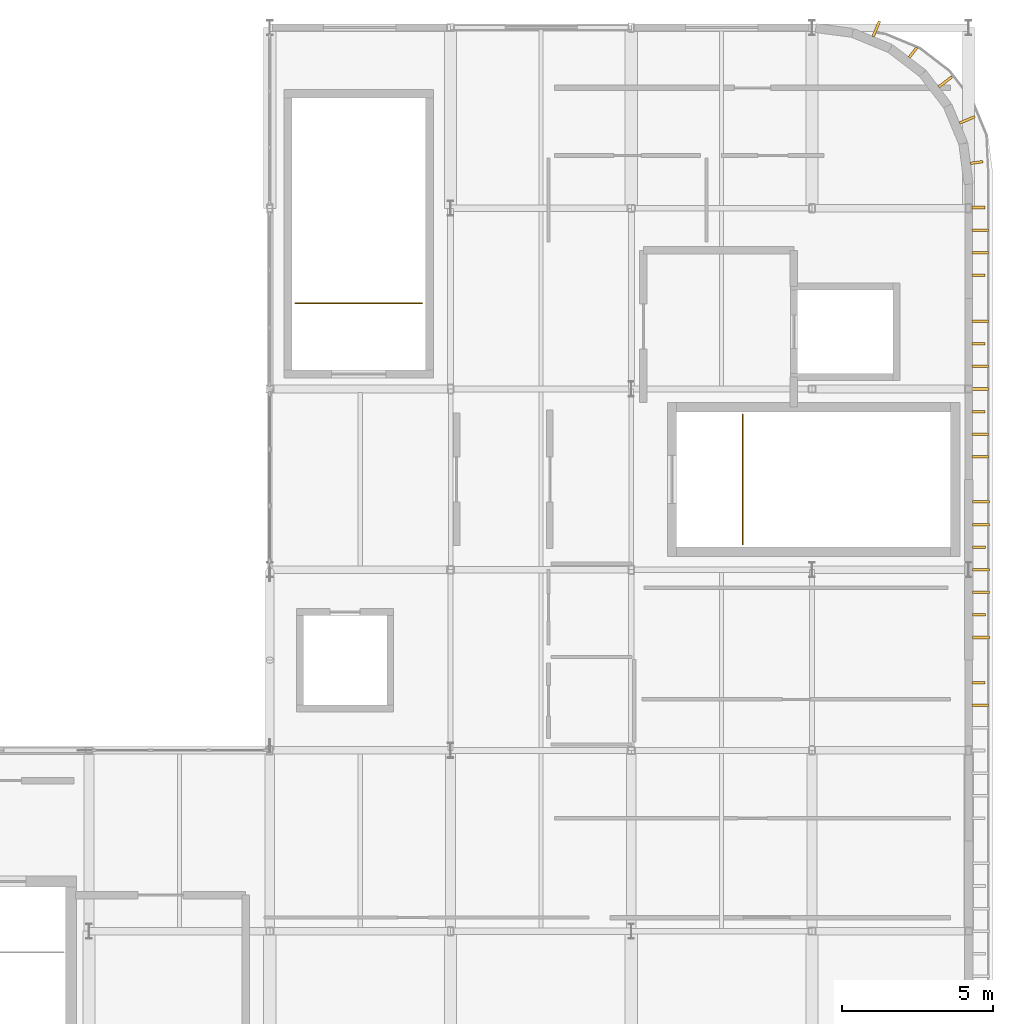
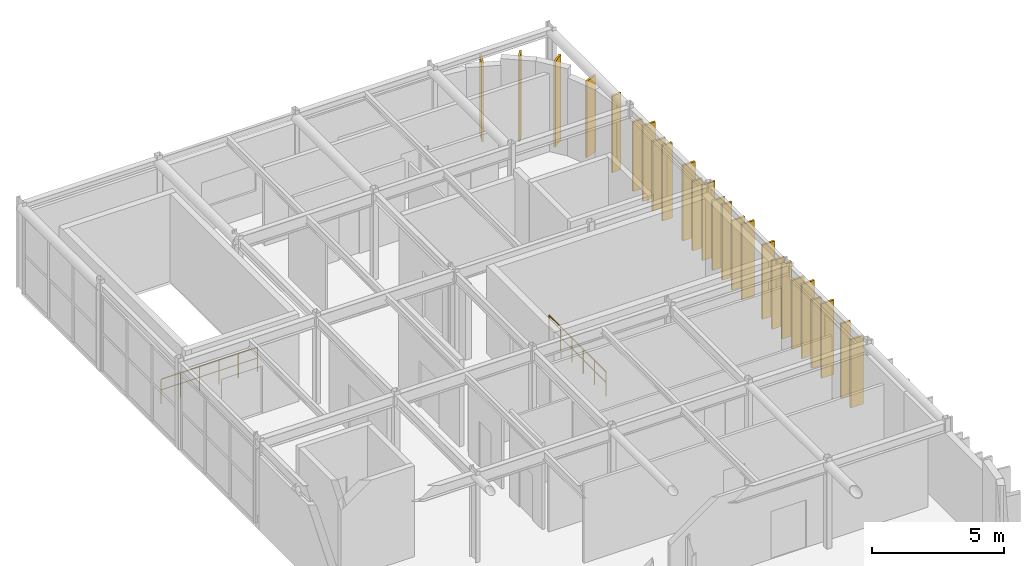
# One storey, part 14 of 14: 25 coverings, 2 railings.
"""IFC4 building model written with IfcOpenShell, lengths in metres."""

from ifc_helpers import new_model, si_unit, direction, frame, origin, origin_2d, place, context, subcontext, project, spatial, rectangle, circle, extrude, material, layer, layer_set, type_object, element, save


model = new_model("IFC4")

# Units and contexts
model_context = context("Model", 3, precision=1e-05, world=origin(), true_north=direction((0.0, 1.0)))
body_context = subcontext(model_context, "Body", "Model", "MODEL_VIEW")
ifc_project = project(units=[si_unit("LENGTHUNIT", "METRE"), si_unit("AREAUNIT", "SQUARE_METRE"), si_unit("VOLUMEUNIT", "CUBIC_METRE"), si_unit("PLANEANGLEUNIT", "RADIAN"), si_unit("MASSUNIT", "GRAM", prefix="KILO")], contexts=[model_context])

# Site, building, storey
site_placement = place(None, origin())
site = spatial("IfcSite", under=ifc_project, at=site_placement, CompositionType="ELEMENT")
building_placement = place(site_placement, origin())
building = spatial("IfcBuilding", under=site, at=building_placement, Name="Varnakota Square Police Headquarters", CompositionType="ELEMENT")
storey_placement = place(building_placement, frame((0.0, 0.0, 30.0)))
storey = spatial("IfcBuildingStorey", under=building, at=storey_placement, Name="L07", CompositionType="ELEMENT", Elevation=30.0)

# Coverings
ifc_material_1 = material(Name="White Anodised Aluminium Vertical Facade Blade 420", Category="aluminium")
ifc_layer_1 = layer(ifc_material_1, 0.0849609375, Name="White Anodised Aluminium Vertical Facade Blade 420")
ifc_layer_set_1 = layer_set([ifc_layer_1], Name="White Anodised Aluminium Vertical Facade Blade 420")
covering_type_1 = type_object("IfcCoveringType", Name="COV-FIN-420", PredefinedType="CLADDING", material=ifc_layer_set_1)
covering_1_placement = place(storey_placement, frame((161.52490234375, 17.25, 0.0400390625), z_axis=(0.0, 0.0, 1.0), x_axis=(0.0, 1.0, 0.0)))
element("IfcCovering", 1, at=covering_1_placement, inside=storey, type_object=covering_type_1, Name="Vertical aluminium facade fin FIN-0865", PredefinedType="CLADDING", context=body_context, shape_type="SweptSolid", body=[
    extrude(rectangle(XDim=0.0849609375, YDim=0.419921875, at=origin_2d()), origin(), (0.0, 0.0, 1.0), 3.449951171875),
])
covering_2_placement = place(storey_placement, frame((161.544921875, 19.5, 0.0400390625), z_axis=(0.0, 0.0, 1.0), x_axis=(0.0, 1.0, 0.0)))
element("IfcCovering", 2, at=covering_2_placement, inside=storey, type_object=covering_type_1, Name="Vertical aluminium facade fin FIN-0867", PredefinedType="CLADDING", context=body_context, shape_type="SweptSolid", body=[
    extrude(rectangle(XDim=0.0849609375, YDim=0.419921875, at=origin_2d()), origin(), (0.0, 0.0, 1.0), 3.169921875),
])
covering_3_placement = place(storey_placement, frame((161.544921875, 21.75, 0.0400390625), z_axis=(0.0, 0.0, 1.0), x_axis=(0.0, 1.0, 0.0)))
element("IfcCovering", 3, at=covering_3_placement, inside=storey, type_object=covering_type_1, Name="Vertical aluminium facade fin FIN-0870", PredefinedType="CLADDING", context=body_context, shape_type="SweptSolid", body=[
    extrude(rectangle(XDim=0.0849609375, YDim=0.419921875, at=origin_2d()), origin(), (0.0, 0.0, 1.0), 3.449951171875),
])
covering_4_placement = place(storey_placement, frame((161.52490234375, 26.25, 0.0400390625), z_axis=(0.0, 0.0, 1.0), x_axis=(0.0, 1.0, 0.0)))
element("IfcCovering", 4, at=covering_4_placement, inside=storey, type_object=covering_type_1, Name="Vertical aluminium facade fin FIN-0875", PredefinedType="CLADDING", context=body_context, shape_type="SweptSolid", body=[
    extrude(rectangle(XDim=0.0849609375, YDim=0.419921875, at=origin_2d()), origin(), (0.0, 0.0, 1.0), 3.5),
])
covering_5_placement = place(storey_placement, frame((161.52490234375, 28.5, 0.0400390625), z_axis=(0.0, 0.0, 1.0), x_axis=(0.0, 1.0, 0.0)))
element("IfcCovering", 5, at=covering_5_placement, inside=storey, type_object=covering_type_1, Name="Vertical aluminium facade fin FIN-0878", PredefinedType="CLADDING", context=body_context, shape_type="SweptSolid", body=[
    extrude(rectangle(XDim=0.0849609375, YDim=0.419921875, at=origin_2d()), origin(), (0.0, 0.0, 1.0), 3.219970703125),
])
covering_6_placement = place(storey_placement, frame((161.52490234375, 30.77490234375, 0.0400390625), z_axis=(0.0, 0.0, 1.0), x_axis=(0.0, 1.0, 0.0)))
element("IfcCovering", 6, at=covering_6_placement, inside=storey, type_object=covering_type_1, Name="Vertical aluminium facade fin FIN-0880", PredefinedType="CLADDING", context=body_context, shape_type="SweptSolid", body=[
    extrude(rectangle(XDim=0.0849609375, YDim=0.419921875, at=origin_2d()), origin(), (0.0, 0.0, 1.0), 3.5),
])
covering_7_placement = place(storey_placement, frame((161.52490234375, 33.02490234375, 0.0400390625), z_axis=(0.0, 0.0, 1.0), x_axis=(0.0, 1.0, 0.0)))
element("IfcCovering", 7, at=covering_7_placement, inside=storey, type_object=covering_type_1, Name="Vertical aluminium facade fin FIN-0883", PredefinedType="CLADDING", context=body_context, shape_type="SweptSolid", body=[
    extrude(rectangle(XDim=0.0849609375, YDim=0.419921875, at=origin_2d()), origin(), (0.0, 0.0, 1.0), 3.219970703125),
])
covering_8_placement = place(storey_placement, frame((161.46337890625, 34.519287109375, 0.0400390625), z_axis=(0.0, 0.0, 1.0), x_axis=(-0.13052619222, 0.991444861374, 0.0)))
element("IfcCovering", 8, at=covering_8_placement, inside=storey, type_object=covering_type_1, Name="Vertical aluminium facade fin FIN-0895", PredefinedType="CLADDING", context=body_context, shape_type="SweptSolid", body=[
    extrude(rectangle(XDim=0.0849609375, YDim=0.419921875, at=origin_2d()), origin(), (0.0, 0.0, 1.0), 3.543701171875),
])
covering_9_placement = place(storey_placement, frame((159.3544921875, 38.171875, 0.0400390625), z_axis=(0.0, 0.0, 1.0), x_axis=(-0.793353340291, 0.608761429009, 0.0)))
element("IfcCovering", 9, at=covering_9_placement, inside=storey, type_object=covering_type_1, Name="Vertical aluminium facade fin FIN-0898", PredefinedType="CLADDING", context=body_context, shape_type="SweptSolid", body=[
    extrude(rectangle(XDim=0.0849609375, YDim=0.419921875, at=origin_2d()), origin(), (0.0, 0.0, 1.0), 3.955078125),
])
ifc_material_2 = material(Name="White Anodised Aluminium Vertical Facade Blade 550", Category="aluminium")
ifc_layer_2 = layer(ifc_material_2, 0.0849609375, Name="White Anodised Aluminium Vertical Facade Blade 550")
ifc_layer_set_2 = layer_set([ifc_layer_2], Name="White Anodised Aluminium Vertical Facade Blade 550")
covering_type_2 = type_object("IfcCoveringType", Name="COV-FIN-550", PredefinedType="CLADDING", material=ifc_layer_set_2)
covering_10_placement = place(storey_placement, frame((161.590087890625, 16.5, 0.0400390625), z_axis=(0.0, 0.0, 1.0), x_axis=(0.0, 1.0, 0.0)))
element("IfcCovering", 10, at=covering_10_placement, inside=storey, type_object=covering_type_2, Name="Vertical aluminium facade fin FIN-0864", PredefinedType="CLADDING", context=body_context, shape_type="SweptSolid", body=[
    extrude(rectangle(XDim=0.0849609375, YDim=0.550048828125, at=origin_2d()), origin(), (0.0, 0.0, 1.0), 3.169921875),
])
for number, where, z_axis, x_axis, name in (
    (11, (161.610107421875, 18.75, 0.0400390625), (0.0, 0.0, 1.0), (0.0, 1.0, 0.0), "Vertical aluminium facade fin FIN-0866"),
    (12, (161.610107421875, 20.25, 0.0400390625), (0.0, 0.0, 1.0), (0.0, 1.0, 0.0), "Vertical aluminium facade fin FIN-0868"),
):
    element("IfcCovering", number, at=place(storey_placement, frame(where, z_axis=z_axis, x_axis=x_axis)), inside=storey, type_object=covering_type_2, Name=name, PredefinedType="CLADDING", context=body_context, shape_type="SweptSolid", body=[
        extrude(rectangle(XDim=0.0849609375, YDim=0.550048828125, at=origin_2d()), origin(), (0.0, 0.0, 1.0), 3.449951171875),
    ])
for number, where, z_axis, x_axis, name in (
    (13, (161.610107421875, 21.0, 0.0400390625), (0.0, 0.0, 1.0), (0.0, 1.0, 0.0), "Vertical aluminium facade fin FIN-0869"),
    (14, (161.610107421875, 22.5, 0.0400390625), (0.0, 0.0, 1.0), (0.0, 1.0, 0.0), "Vertical aluminium facade fin FIN-0871"),
):
    element("IfcCovering", number, at=place(storey_placement, frame(where, z_axis=z_axis, x_axis=x_axis)), inside=storey, type_object=covering_type_2, Name=name, PredefinedType="CLADDING", context=body_context, shape_type="SweptSolid", body=[
        extrude(rectangle(XDim=0.0849609375, YDim=0.550048828125, at=origin_2d()), origin(), (0.0, 0.0, 1.0), 3.169921875),
    ])
covering_11_placement = place(storey_placement, frame((161.610107421875, 23.25, 0.0400390625), z_axis=(0.0, 0.0, 1.0), x_axis=(0.0, 1.0, 0.0)))
element("IfcCovering", 15, at=covering_11_placement, inside=storey, type_object=covering_type_2, Name="Vertical aluminium facade fin FIN-0872", PredefinedType="CLADDING", context=body_context, shape_type="SweptSolid", body=[
    extrude(rectangle(XDim=0.0849609375, YDim=0.550048828125, at=origin_2d()), origin(), (0.0, 0.0, 1.0), 3.449951171875),
])
covering_12_placement = place(storey_placement, frame((161.590087890625, 24.75, 0.0400390625), z_axis=(0.0, 0.0, 1.0), x_axis=(0.0, 1.0, 0.0)))
element("IfcCovering", 16, at=covering_12_placement, inside=storey, type_object=covering_type_2, Name="Vertical aluminium facade fin FIN-0873", PredefinedType="CLADDING", context=body_context, shape_type="SweptSolid", body=[
    extrude(rectangle(XDim=0.0849609375, YDim=0.550048828125, at=origin_2d()), origin(), (0.0, 0.0, 1.0), 3.5),
])
for number, where, z_axis, x_axis, name in (
    (17, (161.590087890625, 25.5, 0.0400390625), (0.0, 0.0, 1.0), (0.0, 1.0, 0.0), "Vertical aluminium facade fin FIN-0874"),
    (18, (161.590087890625, 27.0, 0.0400390625), (0.0, 0.0, 1.0), (0.0, 1.0, 0.0), "Vertical aluminium facade fin FIN-0876"),
):
    element("IfcCovering", number, at=place(storey_placement, frame(where, z_axis=z_axis, x_axis=x_axis)), inside=storey, type_object=covering_type_2, Name=name, PredefinedType="CLADDING", context=body_context, shape_type="SweptSolid", body=[
        extrude(rectangle(XDim=0.0849609375, YDim=0.550048828125, at=origin_2d()), origin(), (0.0, 0.0, 1.0), 3.219970703125),
    ])
for number, where, z_axis, x_axis, name in (
    (19, (161.590087890625, 27.75, 0.0400390625), (0.0, 0.0, 1.0), (0.0, 1.0, 0.0), "Vertical aluminium facade fin FIN-0877"),
    (20, (161.590087890625, 29.25, 0.0400390625), (0.0, 0.0, 1.0), (0.0, 1.0, 0.0), "Vertical aluminium facade fin FIN-0879"),
):
    element("IfcCovering", number, at=place(storey_placement, frame(where, z_axis=z_axis, x_axis=x_axis)), inside=storey, type_object=covering_type_2, Name=name, PredefinedType="CLADDING", context=body_context, shape_type="SweptSolid", body=[
        extrude(rectangle(XDim=0.0849609375, YDim=0.550048828125, at=origin_2d()), origin(), (0.0, 0.0, 1.0), 3.5),
    ])
covering_13_placement = place(storey_placement, frame((161.590087890625, 31.52490234375, 0.0400390625), z_axis=(0.0, 0.0, 1.0), x_axis=(0.0, 1.0, 0.0)))
element("IfcCovering", 21, at=covering_13_placement, inside=storey, type_object=covering_type_2, Name="Vertical aluminium facade fin FIN-0881", PredefinedType="CLADDING", context=body_context, shape_type="SweptSolid", body=[
    extrude(rectangle(XDim=0.0849609375, YDim=0.550048828125, at=origin_2d()), origin(), (0.0, 0.0, 1.0), 3.219970703125),
])
covering_14_placement = place(storey_placement, frame((161.590087890625, 32.27490234375, 0.0400390625), z_axis=(0.0, 0.0, 1.0), x_axis=(0.0, 1.0, 0.0)))
element("IfcCovering", 22, at=covering_14_placement, inside=storey, type_object=covering_type_2, Name="Vertical aluminium facade fin FIN-0882", PredefinedType="CLADDING", context=body_context, shape_type="SweptSolid", body=[
    extrude(rectangle(XDim=0.0849609375, YDim=0.550048828125, at=origin_2d()), origin(), (0.0, 0.0, 1.0), 3.5),
])
covering_15_placement = place(storey_placement, frame((161.151123046875, 35.93359375, 0.0400390625), z_axis=(0.0, 0.0, 1.0), x_axis=(-0.382683432365, 0.923879532511, 0.0)))
element("IfcCovering", 23, at=covering_15_placement, inside=storey, type_object=covering_type_2, Name="Vertical aluminium facade fin FIN-0896", PredefinedType="CLADDING", context=body_context, shape_type="SweptSolid", body=[
    extrude(rectangle(XDim=0.0849609375, YDim=0.550048828125, at=origin_2d()), origin(), (0.0, 0.0, 1.0), 3.543701171875),
])
covering_16_placement = place(storey_placement, frame((160.42333984375, 37.194091796875, 0.0400390625), z_axis=(0.0, 0.0, 1.0), x_axis=(-0.608761429009, 0.793353340291, 0.0)))
element("IfcCovering", 24, at=covering_16_placement, inside=storey, type_object=covering_type_2, Name="Vertical aluminium facade fin FIN-0897", PredefinedType="CLADDING", context=body_context, shape_type="SweptSolid", body=[
    extrude(rectangle(XDim=0.0849609375, YDim=0.550048828125, at=origin_2d()), origin(), (0.0, 0.0, 1.0), 3.955078125),
])
covering_17_placement = place(storey_placement, frame((158.1337890625, 38.951171875, 0.0400390625), z_axis=(0.0, 0.0, 1.0), x_axis=(-0.923879532511, 0.382683432365, 0.0)))
element("IfcCovering", 25, at=covering_17_placement, inside=storey, type_object=covering_type_2, Name="Vertical aluminium facade fin FIN-0899", PredefinedType="CLADDING", context=body_context, shape_type="SweptSolid", body=[
    extrude(rectangle(XDim=0.0849609375, YDim=0.550048828125, at=origin_2d()), origin(), (0.0, 0.0, 1.0), 3.64990234375),
])

# Railings
ifc_material_3 = material(Name="Laminated Glass and Stainless Steel Balustrade", Category="steel")
railing_type = type_object("IfcRailingType", Name="RL-INT-1150", PredefinedType="BALUSTRADE", material=ifc_material_3)
railing_1_placement = place(storey_placement, frame((153.699951171875, 21.840087890625, 0.0)))
element("IfcRailing", 26, at=railing_1_placement, inside=storey, type_object=railing_type, Name="Stair well safety guard C2 L07", PredefinedType="BALUSTRADE", context=body_context, shape_type="SweptSolid", body=[
    extrude(circle(Radius=0.02392578125, at=origin_2d()), frame((0.0, 0.0, 1.1259765625), z_axis=(0.0, 1.0, 0.0), x_axis=(-1.0, 0.0, 0.0)), (0.0, 0.0, 1.0), 4.31982421875),
    extrude(circle(Radius=0.01806640625, at=origin_2d()), frame((0.0, 0.0, 0.63232421875), z_axis=(0.0, 1.0, 0.0), x_axis=(-1.0, 0.0, 0.0)), (0.0, 0.0, 1.0), 4.31982421875),
    extrude(circle(Radius=0.02099609375, at=origin_2d()), origin(), (0.0, 0.0, 1.0), 1.101806640625),
    extrude(circle(Radius=0.02099609375, at=origin_2d()), frame((0.0, 0.864013671875, 0.0)), (0.0, 0.0, 1.0), 1.101806640625),
    extrude(circle(Radius=0.02099609375, at=origin_2d()), frame((0.0, 1.72802734375, 0.0)), (0.0, 0.0, 1.0), 1.101806640625),
    extrude(circle(Radius=0.02099609375, at=origin_2d()), frame((0.0, 2.591796875, 0.0)), (0.0, 0.0, 1.0), 1.101806640625),
    extrude(circle(Radius=0.02099609375, at=origin_2d()), frame((0.0, 3.455810546875, 0.0)), (0.0, 0.0, 1.0), 1.101806640625),
    extrude(circle(Radius=0.02099609375, at=origin_2d()), frame((0.0, 4.31982421875, 0.0)), (0.0, 0.0, 1.0), 1.101806640625),
])
railing_2_placement = place(storey_placement, frame((138.840087890625, 29.85009765625, 0.0)))
element("IfcRailing", 27, at=railing_2_placement, inside=storey, type_object=railing_type, Name="Stair well safety guard C3 L07", PredefinedType="BALUSTRADE", context=body_context, shape_type="SweptSolid", body=[
    extrude(circle(Radius=0.02392578125, at=origin_2d()), frame((0.0, 0.0, 1.1259765625), z_axis=(1.0, 0.0, 0.0), x_axis=(0.0, 1.0, 0.0)), (0.0, 0.0, 1.0), 4.219970703125),
    extrude(circle(Radius=0.01806640625, at=origin_2d()), frame((0.0, 0.0, 0.63232421875), z_axis=(1.0, 0.0, 0.0), x_axis=(0.0, 1.0, 0.0)), (0.0, 0.0, 1.0), 4.219970703125),
    extrude(circle(Radius=0.02099609375, at=origin_2d()), origin(), (0.0, 0.0, 1.0), 1.101806640625),
    extrude(circle(Radius=0.02099609375, at=origin_2d()), frame((0.843994140625, 0.0, 0.0)), (0.0, 0.0, 1.0), 1.101806640625),
    extrude(circle(Radius=0.02099609375, at=origin_2d()), frame((1.68798828125, 0.0, 0.0)), (0.0, 0.0, 1.0), 1.101806640625),
    extrude(circle(Radius=0.02099609375, at=origin_2d()), frame((2.531982421875, 0.0, 0.0)), (0.0, 0.0, 1.0), 1.101806640625),
    extrude(circle(Radius=0.02099609375, at=origin_2d()), frame((3.3759765625, 0.0, 0.0)), (0.0, 0.0, 1.0), 1.101806640625),
    extrude(circle(Radius=0.02099609375, at=origin_2d()), frame((4.219970703125, 0.0, 0.0)), (0.0, 0.0, 1.0), 1.101806640625),
])

save(model, "model.ifc")
